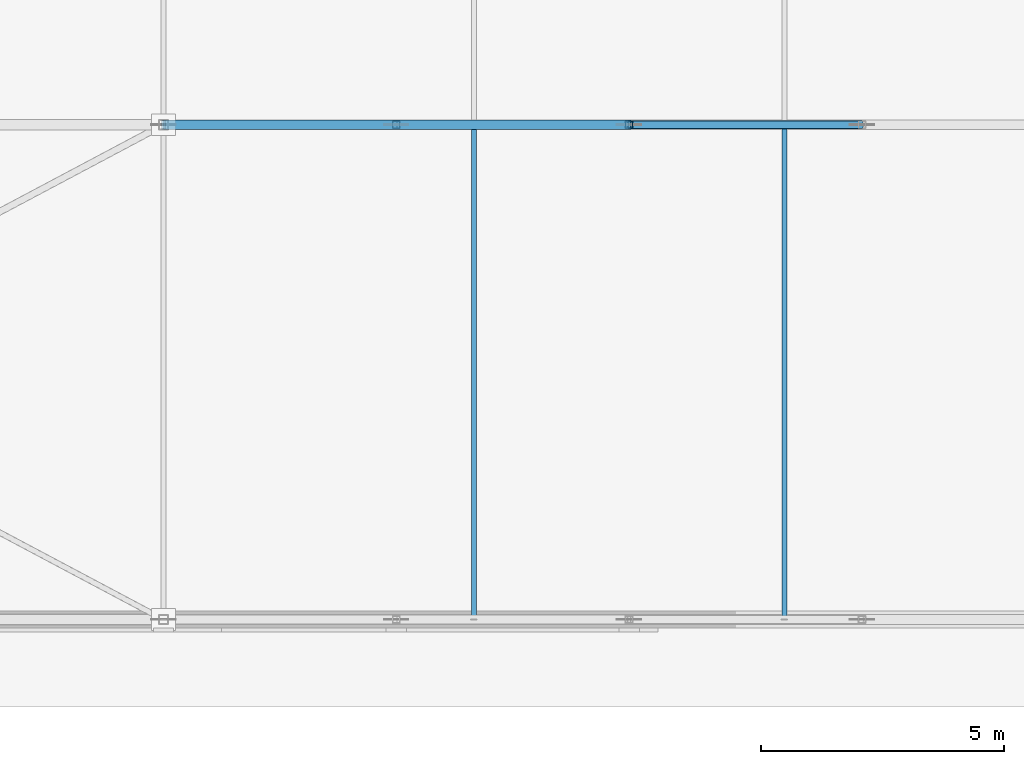
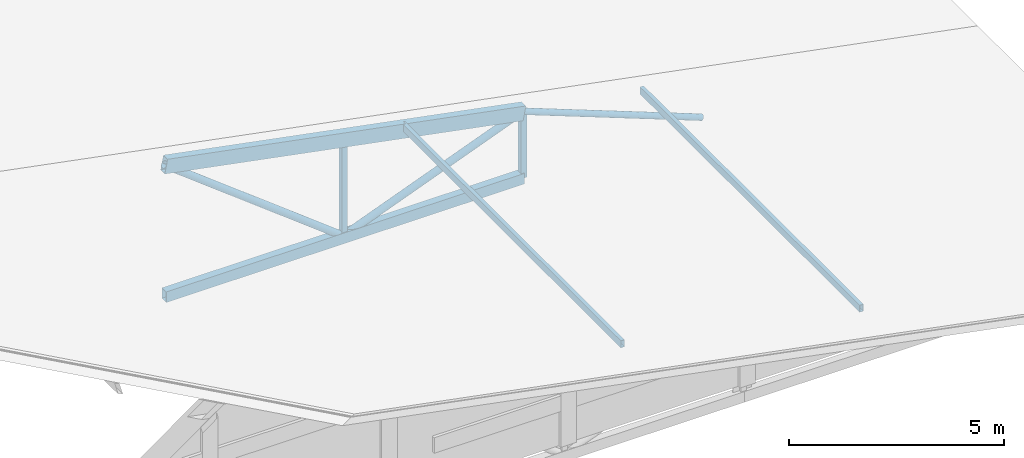
# One storey, part 29 of 200: 9 members.
"""IFC4 building model written with IfcOpenShell, lengths in metres."""

from ifc_helpers import new_model, si_unit, direction, frame, origin, origin_2d, place, context, subcontext, project, spatial, hollow_rectangle, hollow_circle, extrude, material, material_profile, profile_set, type_object, element, save


model = new_model("IFC4")

# Units and contexts
model_context = context("Model", 3, precision=1e-05, world=origin(), true_north=direction((0.0, 1.0)))
body_context = subcontext(model_context, "Body", "Model", "MODEL_VIEW")
ifc_project = project(units=[si_unit("LENGTHUNIT", "METRE"), si_unit("AREAUNIT", "SQUARE_METRE"), si_unit("VOLUMEUNIT", "CUBIC_METRE"), si_unit("PLANEANGLEUNIT", "RADIAN"), si_unit("MASSUNIT", "GRAM", prefix="KILO")], contexts=[model_context])

# Site, building, storey
site_placement = place(None, origin())
site = spatial("IfcSite", under=ifc_project, at=site_placement, CompositionType="ELEMENT")
building_placement = place(site_placement, origin())
building = spatial("IfcBuilding", under=site, at=building_placement, Name="Vondelvale Polytechnic", CompositionType="ELEMENT")
storey_placement = place(building_placement, frame((0.0, 0.0, 13.800048828125)))
storey = spatial("IfcBuildingStorey", under=building, at=storey_placement, Name="L03", CompositionType="ELEMENT", Elevation=13.800048828125)

# Members
ifc_material = material(Name="Steel C350L0 (fy = 350 MPa)", Category="steel")
ifc_material_profile_1 = material_profile(ifc_material, hollow_rectangle(XDim=0.10009765625, YDim=0.199951171875, WallThickness=0.006103515625, at=origin_2d()), Name="200x100x6.0RHS")
ifc_profile_set_1 = profile_set([ifc_material_profile_1], Name="Steel C350L0 (fy = 350 MPa)")
member_type_1 = type_object("IfcMemberType", Name="PURLIN RHS200", PredefinedType="PURLIN", material=ifc_profile_set_1)
for number, where, z_axis, x_axis, name in (
    (1, (35.199951171875, 51.0, 2.14794921875), (0.0, 1.0, 0.0), (-1.0, 0.0, 0.0), "Workshop roof purlin bay 1"),
    (2, (41.60009765625, 51.0, 0.91455078125), (0.0, 1.0, 0.0), (-1.0, 0.0, 0.0), "Workshop roof purlin bay 1"),
):
    element("IfcMember", number, at=place(storey_placement, frame(where, z_axis=z_axis, x_axis=x_axis)), inside=storey, type_object=member_type_1, Name=name, PredefinedType="PURLIN", context=body_context, shape_type="SweptSolid", body=[
        extrude(hollow_rectangle(XDim=0.10009765625, YDim=0.199951171875, WallThickness=0.006103515625, at=origin_2d()), origin(), (0.0, 0.0, 1.0), 10.199951171875),
    ])
ifc_material_profile_2 = material_profile(ifc_material, hollow_rectangle(XDim=0.199951171875, YDim=0.300048828125, WallThickness=0.008056640625, at=origin_2d()), Name="300x200x8.0RHS")
ifc_profile_set_2 = profile_set([ifc_material_profile_2], Name="Steel C350L0 (fy = 350 MPa)")
member_type_2 = type_object("IfcMemberType", Name="ROOF TRUSS BOT CHORD 300RHS", PredefinedType="CHORD", material=ifc_profile_set_2)
member_1_placement = place(storey_placement, frame((28.800048828125, 61.199951171875, -0.420166015625), z_axis=(1.0, 0.0, 0.0), x_axis=(0.0, 1.0, 0.0)))
element("IfcMember", 3, at=member_1_placement, inside=storey, type_object=member_type_2, Name="ROOF TRUSS TR-02 bottom chord 2", PredefinedType="CHORD", context=body_context, shape_type="SweptSolid", body=[
    extrude(hollow_rectangle(XDim=0.199951171875, YDim=0.300048828125, WallThickness=0.008056640625, at=origin_2d()), origin(), (0.0, 0.0, 1.0), 9.599853515625),
])
ifc_material_profile_3 = material_profile(ifc_material, hollow_circle(Radius=0.084228515625, WallThickness=0.00634765625, at=origin_2d()), Name="168.3x6.4CHS")
ifc_profile_set_3 = profile_set([ifc_material_profile_3], Name="Steel C350L0 (fy = 350 MPa)")
member_type_3 = type_object("IfcMemberType", Name="ROOF TRUSS BRACE 168CHS", PredefinedType="BRACE", material=ifc_profile_set_3)
member_2_placement = place(storey_placement, frame((38.39990234375, 61.199951171875, 1.429931640625), z_axis=(0.933089727442, 0.0, -0.359643657726), x_axis=(0.0, 1.0, 0.0)))
element("IfcMember", 4, at=member_2_placement, inside=storey, type_object=member_type_3, Name="ROOF TRUSS TR-02 web diagonal 8", PredefinedType="BRACE", context=body_context, shape_type="SweptSolid", body=[
    extrude(hollow_circle(Radius=0.084228515625, WallThickness=0.00634765625, at=origin_2d()), origin(), (0.0, 0.0, 1.0), 5.144287109375),
])
ifc_material_profile_4 = material_profile(ifc_material, hollow_circle(Radius=0.096923828125, WallThickness=0.00634765625, at=origin_2d()), Name="193.7x6.4CHS")
ifc_profile_set_4 = profile_set([ifc_material_profile_4], Name="Steel C350L0 (fy = 350 MPa)")
member_type_4 = type_object("IfcMemberType", Name="ROOF TRUSS BRACE 193CHS", PredefinedType="BRACE", material=ifc_profile_set_4)
member_3_placement = place(storey_placement, frame((28.800048828125, 61.199951171875, 3.280029296875), z_axis=(0.791997617605, 0.0, -0.610524179463), x_axis=(0.0, 1.0, 0.0)))
element("IfcMember", 5, at=member_3_placement, inside=storey, type_object=member_type_4, Name="ROOF TRUSS TR-02 web diagonal 6", PredefinedType="BRACE", context=body_context, shape_type="SweptSolid", body=[
    extrude(hollow_circle(Radius=0.096923828125, WallThickness=0.00634765625, at=origin_2d()), origin(), (0.0, 0.0, 1.0), 6.060791015625),
])
member_4_placement = place(storey_placement, frame((33.60009765625, 61.199951171875, -0.420166015625), z_axis=(0.933083588529, 0.0, 0.359659584632), x_axis=(0.0, 1.0, 0.0)))
element("IfcMember", 6, at=member_4_placement, inside=storey, type_object=member_type_4, Name="ROOF TRUSS TR-02 web diagonal 7", PredefinedType="BRACE", context=body_context, shape_type="SweptSolid", body=[
    extrude(hollow_circle(Radius=0.096923828125, WallThickness=0.00634765625, at=origin_2d()), origin(), (0.0, 0.0, 1.0), 5.14404296875),
])
ifc_material_profile_5 = material_profile(ifc_material, hollow_rectangle(XDim=0.14990234375, YDim=0.14990234375, WallThickness=0.006103515625, at=origin_2d()), Name="150x150x6.0SHS")
ifc_profile_set_5 = profile_set([ifc_material_profile_5], Name="Steel C350L0 (fy = 350 MPa)")
member_type_5 = type_object("IfcMemberType", Name="ROOF TRUSS POST 150SHS", PredefinedType="POST", material=ifc_profile_set_5)
member_5_placement = place(storey_placement, frame((33.60009765625, 61.199951171875, -0.420166015625), z_axis=(0.0, 0.0, 1.0), x_axis=(1.0, 0.0, 0.0)))
element("IfcMember", 7, at=member_5_placement, inside=storey, type_object=member_type_5, Name="ROOF TRUSS TR-02 vertical post 6", PredefinedType="POST", context=body_context, shape_type="SweptSolid", body=[
    extrude(hollow_rectangle(XDim=0.14990234375, YDim=0.14990234375, WallThickness=0.006103515625, at=origin_2d()), origin(), (0.0, 0.0, 1.0), 2.775146484375),
])
member_6_placement = place(storey_placement, frame((38.39990234375, 61.199951171875, -0.420166015625), z_axis=(0.0, 0.0, 1.0), x_axis=(1.0, 0.0, 0.0)))
element("IfcMember", 8, at=member_6_placement, inside=storey, type_object=member_type_5, Name="ROOF TRUSS TR-02 vertical post 7", PredefinedType="POST", context=body_context, shape_type="SweptSolid", body=[
    extrude(hollow_rectangle(XDim=0.14990234375, YDim=0.14990234375, WallThickness=0.006103515625, at=origin_2d()), origin(), (0.0, 0.0, 1.0), 1.85009765625),
])
ifc_material_profile_6 = material_profile(ifc_material, hollow_rectangle(XDim=0.199951171875, YDim=0.39990234375, WallThickness=0.010009765625, at=origin_2d()), Name="400x200x10.0RHS")
ifc_profile_set_6 = profile_set([ifc_material_profile_6], Name="Steel C350L0 (fy = 350 MPa)")
member_type_6 = type_object("IfcMemberType", Name="ROOF TRUSS TOP CHORD 400RHS", PredefinedType="CHORD", material=ifc_profile_set_6)
member_7_placement = place(storey_placement, frame((28.800048828125, 61.199951171875, 3.280029296875), z_axis=(0.981931024806, 0.0, -0.189239167518), x_axis=(0.0, 1.0, 0.0)))
element("IfcMember", 9, at=member_7_placement, inside=storey, type_object=member_type_6, Name="ROOF TRUSS TR-02 top chord 4", PredefinedType="CHORD", context=body_context, shape_type="SweptSolid", body=[
    extrude(hollow_rectangle(XDim=0.199951171875, YDim=0.39990234375, WallThickness=0.010009765625, at=origin_2d()), origin(), (0.0, 0.0, 1.0), 9.776611328125),
])

save(model, "model.ifc")
